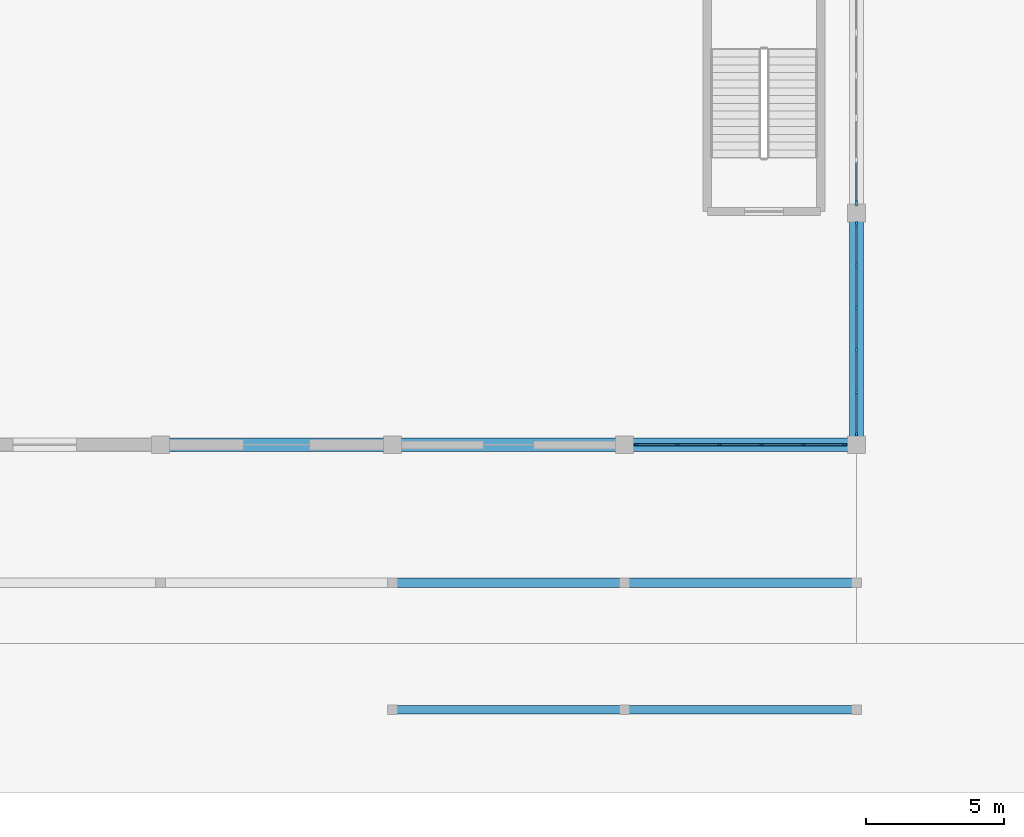
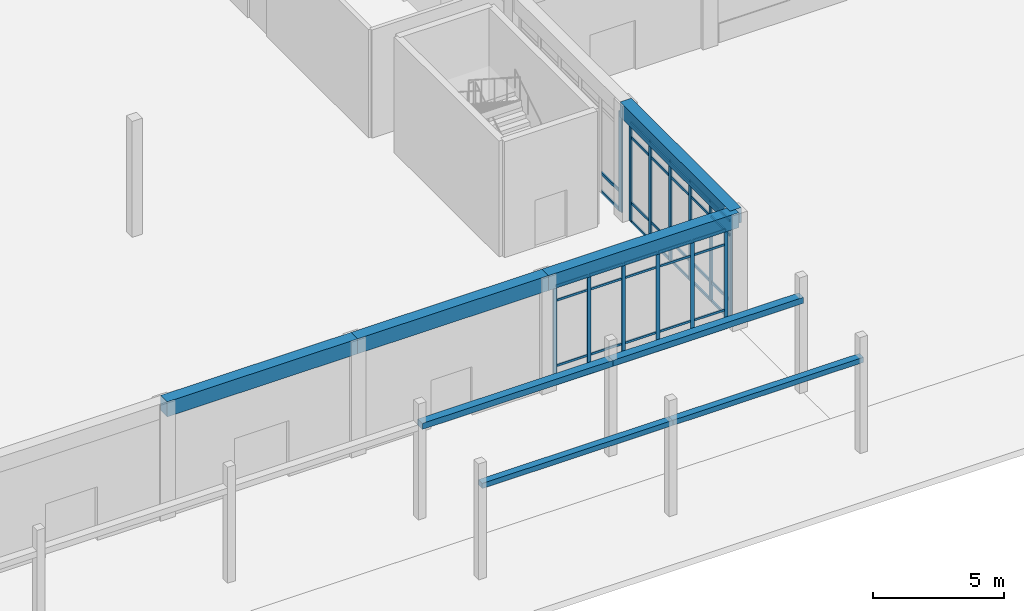
# One storey, part 19 of 167: 55 members, 8 beams, 3 elements without a shape of their own.
"""IFC4 building model written with IfcOpenShell, lengths in metres."""

from ifc_helpers import new_model, si_unit, direction, frame, origin, origin_2d, place, context, subcontext, project, spatial, rectangle, extrude, material, material_profile, profile_set, type_object, element, aggregate, save


model = new_model("IFC4")

# Units and contexts
model_context = context("Model", 3, precision=1e-05, world=origin(), true_north=direction((0.0, 1.0)))
body_context = subcontext(model_context, "Body", "Model", "MODEL_VIEW")
ifc_project = project(units=[si_unit("LENGTHUNIT", "METRE"), si_unit("AREAUNIT", "SQUARE_METRE"), si_unit("VOLUMEUNIT", "CUBIC_METRE"), si_unit("PLANEANGLEUNIT", "RADIAN"), si_unit("MASSUNIT", "GRAM", prefix="KILO")], contexts=[model_context])

# Site, building, storey
site_placement = place(None, origin())
site = spatial("IfcSite", under=ifc_project, at=site_placement, CompositionType="ELEMENT")
building_placement = place(site_placement, origin())
building = spatial("IfcBuilding", under=site, at=building_placement, Name="Varncliffe General Hospital", CompositionType="ELEMENT")
storey_placement = place(building_placement, origin())
storey = spatial("IfcBuildingStorey", under=building, at=storey_placement, Name="L00", CompositionType="ELEMENT", Elevation=0.0)

# Curtain wall, members
ifc_material_1 = material(Name="Triple low-E argon insulated vision glazing", Category="glass")
curtain_wall_type_1 = type_object("IfcCurtainWallType", Name="Unitised Glazed Curtain Wall CW15 (7674x4640)", PredefinedType="USERDEFINED", material=ifc_material_1)
curtain_wall_1_placement = place(storey_placement, origin())
curtain_wall_1 = element("IfcCurtainWall", 1, at=curtain_wall_1_placement, inside=storey, type_object=curtain_wall_type_1, Name="L00 Glazed Curtain Wall CW15-7", ObjectType="GLAZED CURTAIN WALL", PredefinedType="USERDEFINED")
ifc_material_2 = material(Name="Dark bronze thermally broken aluminium framing", Category="aluminium")
ifc_material_profile_1 = material_profile(ifc_material_2, rectangle(XDim=0.074951171875, YDim=0.179931640625, at=origin_2d()), Name="ALU 75x180")
ifc_profile_set_1 = profile_set([ifc_material_profile_1], Name="Dark bronze thermally broken aluminium framing")
member_type_1 = type_object("IfcMemberType", Name="Curtain Wall Mullion CM44 (ALU 75x180)", PredefinedType="MULLION", material=ifc_profile_set_1)
member_1_placement = place(storey_placement, frame((117.60009765625, 15.199462890625, 0.0), z_axis=(0.0, 0.0, 1.0), x_axis=(1.0, 0.0, 0.0)))
member_1 = element("IfcMember", 2, at=member_1_placement, type_object=member_type_1, Name="CW15 mullion 1", PredefinedType="MULLION", context=body_context, shape_type="SweptSolid", body=[
    extrude(rectangle(XDim=0.074951171875, YDim=0.179931640625, at=origin_2d()), origin(), (0.0, 0.0, 1.0), 4.639892578125),
])
member_2_placement = place(storey_placement, frame((117.60009765625, 13.7021484375, 0.0), z_axis=(0.0, 0.0, 1.0), x_axis=(1.0, 0.0, 0.0)))
member_2 = element("IfcMember", 3, at=member_2_placement, type_object=member_type_1, Name="CW15 mullion 2", PredefinedType="MULLION", context=body_context, shape_type="SweptSolid", body=[
    extrude(rectangle(XDim=0.074951171875, YDim=0.179931640625, at=origin_2d()), origin(), (0.0, 0.0, 1.0), 4.639892578125),
])
member_3_placement = place(storey_placement, frame((117.60009765625, 12.16748046875, 0.0), z_axis=(0.0, 0.0, 1.0), x_axis=(1.0, 0.0, 0.0)))
member_3 = element("IfcMember", 4, at=member_3_placement, type_object=member_type_1, Name="CW15 mullion 3", PredefinedType="MULLION", context=body_context, shape_type="SweptSolid", body=[
    extrude(rectangle(XDim=0.074951171875, YDim=0.179931640625, at=origin_2d()), origin(), (0.0, 0.0, 1.0), 4.639892578125),
])
member_4_placement = place(storey_placement, frame((117.60009765625, 10.632568359375, 0.0), z_axis=(0.0, 0.0, 1.0), x_axis=(1.0, 0.0, 0.0)))
member_4 = element("IfcMember", 5, at=member_4_placement, type_object=member_type_1, Name="CW15 mullion 4", PredefinedType="MULLION", context=body_context, shape_type="SweptSolid", body=[
    extrude(rectangle(XDim=0.074951171875, YDim=0.179931640625, at=origin_2d()), origin(), (0.0, 0.0, 1.0), 4.639892578125),
])
member_5_placement = place(storey_placement, frame((117.60009765625, 9.097900390625, 0.0), z_axis=(0.0, 0.0, 1.0), x_axis=(1.0, 0.0, 0.0)))
member_5 = element("IfcMember", 6, at=member_5_placement, type_object=member_type_1, Name="CW15 mullion 5", PredefinedType="MULLION", context=body_context, shape_type="SweptSolid", body=[
    extrude(rectangle(XDim=0.074951171875, YDim=0.179931640625, at=origin_2d()), origin(), (0.0, 0.0, 1.0), 4.639892578125),
])
member_6_placement = place(storey_placement, frame((117.60009765625, 7.6005859375, 0.0), z_axis=(0.0, 0.0, 1.0), x_axis=(1.0, 0.0, 0.0)))
member_6 = element("IfcMember", 7, at=member_6_placement, type_object=member_type_1, Name="CW15 mullion 6", PredefinedType="MULLION", context=body_context, shape_type="SweptSolid", body=[
    extrude(rectangle(XDim=0.074951171875, YDim=0.179931640625, at=origin_2d()), origin(), (0.0, 0.0, 1.0), 4.639892578125),
])

curtain_wall_type_2 = type_object("IfcCurtainWallType", Name="Unitised Glazed Curtain Wall CW26 (7594x4640)", PredefinedType="USERDEFINED", material=ifc_material_1)
curtain_wall_2_placement = place(storey_placement, origin())
curtain_wall_2 = element("IfcCurtainWall", 8, at=curtain_wall_2_placement, inside=storey, type_object=curtain_wall_type_2, Name="L00 Glazed Curtain Wall CW26-8", ObjectType="GLAZED CURTAIN WALL", PredefinedType="USERDEFINED")
ifc_material_profile_2 = material_profile(ifc_material_2, rectangle(XDim=0.06494140625, YDim=0.159912109375, at=origin_2d()), Name="ALU 65x160")
ifc_profile_set_2 = profile_set([ifc_material_profile_2], Name="Dark bronze thermally broken aluminium framing")
member_type_2 = type_object("IfcMemberType", Name="Curtain Wall Mullion CM65 (ALU 65x160)", PredefinedType="MULLION", material=ifc_profile_set_2)
member_7_placement = place(storey_placement, frame((117.16455078125, 7.199951171875, 0.0), z_axis=(0.0, 0.0, 1.0), x_axis=(0.0, -1.0, 0.0)))
member_7 = element("IfcMember", 9, at=member_7_placement, type_object=member_type_2, Name="CW26 mullion 1", PredefinedType="MULLION", context=body_context, shape_type="SweptSolid", body=[
    extrude(rectangle(XDim=0.06494140625, YDim=0.159912109375, at=origin_2d()), origin(), (0.0, 0.0, 1.0), 4.639892578125),
])
member_8_placement = place(storey_placement, frame((115.67822265625, 7.199951171875, 0.0), z_axis=(0.0, 0.0, 1.0), x_axis=(0.0, -1.0, 0.0)))
member_8 = element("IfcMember", 10, at=member_8_placement, type_object=member_type_2, Name="CW26 mullion 2", PredefinedType="MULLION", context=body_context, shape_type="SweptSolid", body=[
    extrude(rectangle(XDim=0.06494140625, YDim=0.159912109375, at=origin_2d()), origin(), (0.0, 0.0, 1.0), 4.639892578125),
])
member_9_placement = place(storey_placement, frame((114.159423828125, 7.199951171875, 0.0), z_axis=(0.0, 0.0, 1.0), x_axis=(0.0, -1.0, 0.0)))
member_9 = element("IfcMember", 11, at=member_9_placement, type_object=member_type_2, Name="CW26 mullion 3", PredefinedType="MULLION", context=body_context, shape_type="SweptSolid", body=[
    extrude(rectangle(XDim=0.06494140625, YDim=0.159912109375, at=origin_2d()), origin(), (0.0, 0.0, 1.0), 4.639892578125),
])
member_10_placement = place(storey_placement, frame((112.640625, 7.199951171875, 0.0), z_axis=(0.0, 0.0, 1.0), x_axis=(0.0, -1.0, 0.0)))
member_10 = element("IfcMember", 12, at=member_10_placement, type_object=member_type_2, Name="CW26 mullion 4", PredefinedType="MULLION", context=body_context, shape_type="SweptSolid", body=[
    extrude(rectangle(XDim=0.06494140625, YDim=0.159912109375, at=origin_2d()), origin(), (0.0, 0.0, 1.0), 4.639892578125),
])
member_11_placement = place(storey_placement, frame((111.121826171875, 7.199951171875, 0.0), z_axis=(0.0, 0.0, 1.0), x_axis=(0.0, -1.0, 0.0)))
member_11 = element("IfcMember", 13, at=member_11_placement, type_object=member_type_2, Name="CW26 mullion 5", PredefinedType="MULLION", context=body_context, shape_type="SweptSolid", body=[
    extrude(rectangle(XDim=0.06494140625, YDim=0.159912109375, at=origin_2d()), origin(), (0.0, 0.0, 1.0), 4.639892578125),
])
member_12_placement = place(storey_placement, frame((109.635498046875, 7.199951171875, 0.0), z_axis=(0.0, 0.0, 1.0), x_axis=(0.0, -1.0, 0.0)))
member_12 = element("IfcMember", 14, at=member_12_placement, type_object=member_type_2, Name="CW26 mullion 6", PredefinedType="MULLION", context=body_context, shape_type="SweptSolid", body=[
    extrude(rectangle(XDim=0.06494140625, YDim=0.159912109375, at=origin_2d()), origin(), (0.0, 0.0, 1.0), 4.639892578125),
])

# Curtain wall, member
curtain_wall_type_3 = type_object("IfcCurtainWallType", Name="Unitised Glazed Curtain Wall CW66 (7754x4640)", PredefinedType="USERDEFINED", material=ifc_material_1)
curtain_wall_3_placement = place(storey_placement, origin())
curtain_wall_3 = element("IfcCurtainWall", 15, at=curtain_wall_3_placement, inside=storey, type_object=curtain_wall_type_3, Name="L00 Glazed Curtain Wall CW66-6", ObjectType="GLAZED CURTAIN WALL", PredefinedType="USERDEFINED")
ifc_material_profile_3 = material_profile(ifc_material_2, rectangle(XDim=0.074951171875, YDim=0.219970703125, at=origin_2d()), Name="ALU 75x220")
ifc_profile_set_3 = profile_set([ifc_material_profile_3], Name="Dark bronze thermally broken aluminium framing")
member_type_3 = type_object("IfcMemberType", Name="Curtain Wall Mullion CM74 (ALU 75x220)", PredefinedType="MULLION", material=ifc_profile_set_3)
member_13_placement = place(storey_placement, frame((117.60009765625, 15.96044921875, 0.0), z_axis=(0.0, 0.0, 1.0), x_axis=(1.0, 0.0, 0.0)))
member_13 = element("IfcMember", 16, at=member_13_placement, type_object=member_type_3, Name="CW66 mullion 6", PredefinedType="MULLION", context=body_context, shape_type="SweptSolid", body=[
    extrude(rectangle(XDim=0.074951171875, YDim=0.219970703125, at=origin_2d()), origin(), (0.0, 0.0, 1.0), 4.639892578125),
])

# Member
ifc_material_profile_4 = material_profile(ifc_material_2, rectangle(XDim=0.06005859375, YDim=0.1201171875, at=origin_2d()), Name="ALU 60x120")
ifc_profile_set_4 = profile_set([ifc_material_profile_4], Name="Dark bronze thermally broken aluminium framing")
member_type_4 = type_object("IfcMemberType", Name="Curtain Wall Transom CT14 (ALU 60x120)", PredefinedType="USERDEFINED", material=ifc_profile_set_4)
member_14_placement = place(storey_placement, frame((117.60009765625, 15.162109375, 0.030029296875), z_axis=(0.0, -1.0, 0.0), x_axis=(1.0, 0.0, 0.0)))
member_14 = element("IfcMember", 17, at=member_14_placement, type_object=member_type_4, Name="CW15 transom 1.1", ObjectType="TRANSOM", PredefinedType="USERDEFINED", context=body_context, shape_type="SweptSolid", body=[
    extrude(rectangle(XDim=0.06005859375, YDim=0.1201171875, at=origin_2d()), origin(), (0.0, 0.0, 1.0), 1.42236328125),
])

member_15_placement = place(storey_placement, frame((117.60009765625, 15.162109375, 0.89990234375), z_axis=(0.0, -1.0, 0.0), x_axis=(1.0, 0.0, 0.0)))
member_15 = element("IfcMember", 18, at=member_15_placement, type_object=member_type_4, Name="CW15 transom 1.2", ObjectType="TRANSOM", PredefinedType="USERDEFINED", context=body_context, shape_type="SweptSolid", body=[
    extrude(rectangle(XDim=0.06005859375, YDim=0.1201171875, at=origin_2d()), origin(), (0.0, 0.0, 1.0), 1.42236328125),
])

member_16_placement = place(storey_placement, frame((117.60009765625, 15.162109375, 3.93994140625), z_axis=(0.0, -1.0, 0.0), x_axis=(1.0, 0.0, 0.0)))
member_16 = element("IfcMember", 19, at=member_16_placement, type_object=member_type_4, Name="CW15 transom 1.3", ObjectType="TRANSOM", PredefinedType="USERDEFINED", context=body_context, shape_type="SweptSolid", body=[
    extrude(rectangle(XDim=0.06005859375, YDim=0.1201171875, at=origin_2d()), origin(), (0.0, 0.0, 1.0), 1.42236328125),
])

member_17_placement = place(storey_placement, frame((117.60009765625, 15.162109375, 4.610107421875), z_axis=(0.0, -1.0, 0.0), x_axis=(1.0, 0.0, 0.0)))
member_17 = element("IfcMember", 20, at=member_17_placement, type_object=member_type_4, Name="CW15 transom 1.4", ObjectType="TRANSOM", PredefinedType="USERDEFINED", context=body_context, shape_type="SweptSolid", body=[
    extrude(rectangle(XDim=0.06005859375, YDim=0.1201171875, at=origin_2d()), origin(), (0.0, 0.0, 1.0), 1.42236328125),
])

member_18_placement = place(storey_placement, frame((117.60009765625, 13.664794921875, 0.030029296875), z_axis=(0.0, -1.0, 0.0), x_axis=(1.0, 0.0, 0.0)))
member_18 = element("IfcMember", 21, at=member_18_placement, type_object=member_type_4, Name="CW15 transom 2.1", ObjectType="TRANSOM", PredefinedType="USERDEFINED", context=body_context, shape_type="SweptSolid", body=[
    extrude(rectangle(XDim=0.06005859375, YDim=0.1201171875, at=origin_2d()), origin(), (0.0, 0.0, 1.0), 1.4599609375),
])

member_19_placement = place(storey_placement, frame((117.60009765625, 13.664794921875, 0.89990234375), z_axis=(0.0, -1.0, 0.0), x_axis=(1.0, 0.0, 0.0)))
member_19 = element("IfcMember", 22, at=member_19_placement, type_object=member_type_4, Name="CW15 transom 2.2", ObjectType="TRANSOM", PredefinedType="USERDEFINED", context=body_context, shape_type="SweptSolid", body=[
    extrude(rectangle(XDim=0.06005859375, YDim=0.1201171875, at=origin_2d()), origin(), (0.0, 0.0, 1.0), 1.4599609375),
])

member_20_placement = place(storey_placement, frame((117.60009765625, 13.664794921875, 3.93994140625), z_axis=(0.0, -1.0, 0.0), x_axis=(1.0, 0.0, 0.0)))
member_20 = element("IfcMember", 23, at=member_20_placement, type_object=member_type_4, Name="CW15 transom 2.3", ObjectType="TRANSOM", PredefinedType="USERDEFINED", context=body_context, shape_type="SweptSolid", body=[
    extrude(rectangle(XDim=0.06005859375, YDim=0.1201171875, at=origin_2d()), origin(), (0.0, 0.0, 1.0), 1.4599609375),
])

member_21_placement = place(storey_placement, frame((117.60009765625, 13.664794921875, 4.610107421875), z_axis=(0.0, -1.0, 0.0), x_axis=(1.0, 0.0, 0.0)))
member_21 = element("IfcMember", 24, at=member_21_placement, type_object=member_type_4, Name="CW15 transom 2.4", ObjectType="TRANSOM", PredefinedType="USERDEFINED", context=body_context, shape_type="SweptSolid", body=[
    extrude(rectangle(XDim=0.06005859375, YDim=0.1201171875, at=origin_2d()), origin(), (0.0, 0.0, 1.0), 1.4599609375),
])

member_22_placement = place(storey_placement, frame((117.60009765625, 12.1298828125, 0.030029296875), z_axis=(0.0, -1.0, 0.0), x_axis=(1.0, 0.0, 0.0)))
member_22 = element("IfcMember", 25, at=member_22_placement, type_object=member_type_4, Name="CW15 transom 3.1", ObjectType="TRANSOM", PredefinedType="USERDEFINED", context=body_context, shape_type="SweptSolid", body=[
    extrude(rectangle(XDim=0.06005859375, YDim=0.1201171875, at=origin_2d()), origin(), (0.0, 0.0, 1.0), 1.459716796875),
])

member_23_placement = place(storey_placement, frame((117.60009765625, 12.1298828125, 0.89990234375), z_axis=(0.0, -1.0, 0.0), x_axis=(1.0, 0.0, 0.0)))
member_23 = element("IfcMember", 26, at=member_23_placement, type_object=member_type_4, Name="CW15 transom 3.2", ObjectType="TRANSOM", PredefinedType="USERDEFINED", context=body_context, shape_type="SweptSolid", body=[
    extrude(rectangle(XDim=0.06005859375, YDim=0.1201171875, at=origin_2d()), origin(), (0.0, 0.0, 1.0), 1.459716796875),
])

member_24_placement = place(storey_placement, frame((117.60009765625, 12.1298828125, 3.93994140625), z_axis=(0.0, -1.0, 0.0), x_axis=(1.0, 0.0, 0.0)))
member_24 = element("IfcMember", 27, at=member_24_placement, type_object=member_type_4, Name="CW15 transom 3.3", ObjectType="TRANSOM", PredefinedType="USERDEFINED", context=body_context, shape_type="SweptSolid", body=[
    extrude(rectangle(XDim=0.06005859375, YDim=0.1201171875, at=origin_2d()), origin(), (0.0, 0.0, 1.0), 1.459716796875),
])

member_25_placement = place(storey_placement, frame((117.60009765625, 12.1298828125, 4.610107421875), z_axis=(0.0, -1.0, 0.0), x_axis=(1.0, 0.0, 0.0)))
member_25 = element("IfcMember", 28, at=member_25_placement, type_object=member_type_4, Name="CW15 transom 3.4", ObjectType="TRANSOM", PredefinedType="USERDEFINED", context=body_context, shape_type="SweptSolid", body=[
    extrude(rectangle(XDim=0.06005859375, YDim=0.1201171875, at=origin_2d()), origin(), (0.0, 0.0, 1.0), 1.459716796875),
])

member_26_placement = place(storey_placement, frame((117.60009765625, 10.59521484375, 0.030029296875), z_axis=(0.0, -1.0, 0.0), x_axis=(1.0, 0.0, 0.0)))
member_26 = element("IfcMember", 29, at=member_26_placement, type_object=member_type_4, Name="CW15 transom 4.1", ObjectType="TRANSOM", PredefinedType="USERDEFINED", context=body_context, shape_type="SweptSolid", body=[
    extrude(rectangle(XDim=0.06005859375, YDim=0.1201171875, at=origin_2d()), origin(), (0.0, 0.0, 1.0), 1.4599609375),
])

member_27_placement = place(storey_placement, frame((117.60009765625, 10.59521484375, 0.89990234375), z_axis=(0.0, -1.0, 0.0), x_axis=(1.0, 0.0, 0.0)))
member_27 = element("IfcMember", 30, at=member_27_placement, type_object=member_type_4, Name="CW15 transom 4.2", ObjectType="TRANSOM", PredefinedType="USERDEFINED", context=body_context, shape_type="SweptSolid", body=[
    extrude(rectangle(XDim=0.06005859375, YDim=0.1201171875, at=origin_2d()), origin(), (0.0, 0.0, 1.0), 1.4599609375),
])

member_28_placement = place(storey_placement, frame((117.60009765625, 10.59521484375, 3.93994140625), z_axis=(0.0, -1.0, 0.0), x_axis=(1.0, 0.0, 0.0)))
member_28 = element("IfcMember", 31, at=member_28_placement, type_object=member_type_4, Name="CW15 transom 4.3", ObjectType="TRANSOM", PredefinedType="USERDEFINED", context=body_context, shape_type="SweptSolid", body=[
    extrude(rectangle(XDim=0.06005859375, YDim=0.1201171875, at=origin_2d()), origin(), (0.0, 0.0, 1.0), 1.4599609375),
])

member_29_placement = place(storey_placement, frame((117.60009765625, 10.59521484375, 4.610107421875), z_axis=(0.0, -1.0, 0.0), x_axis=(1.0, 0.0, 0.0)))
member_29 = element("IfcMember", 32, at=member_29_placement, type_object=member_type_4, Name="CW15 transom 4.4", ObjectType="TRANSOM", PredefinedType="USERDEFINED", context=body_context, shape_type="SweptSolid", body=[
    extrude(rectangle(XDim=0.06005859375, YDim=0.1201171875, at=origin_2d()), origin(), (0.0, 0.0, 1.0), 1.4599609375),
])

member_30_placement = place(storey_placement, frame((117.60009765625, 9.060302734375, 0.030029296875), z_axis=(0.0, -1.0, 0.0), x_axis=(1.0, 0.0, 0.0)))
member_30 = element("IfcMember", 33, at=member_30_placement, type_object=member_type_4, Name="CW15 transom 5.1", ObjectType="TRANSOM", PredefinedType="USERDEFINED", context=body_context, shape_type="SweptSolid", body=[
    extrude(rectangle(XDim=0.06005859375, YDim=0.1201171875, at=origin_2d()), origin(), (0.0, 0.0, 1.0), 1.42236328125),
])

member_31_placement = place(storey_placement, frame((117.60009765625, 9.060302734375, 0.89990234375), z_axis=(0.0, -1.0, 0.0), x_axis=(1.0, 0.0, 0.0)))
member_31 = element("IfcMember", 34, at=member_31_placement, type_object=member_type_4, Name="CW15 transom 5.2", ObjectType="TRANSOM", PredefinedType="USERDEFINED", context=body_context, shape_type="SweptSolid", body=[
    extrude(rectangle(XDim=0.06005859375, YDim=0.1201171875, at=origin_2d()), origin(), (0.0, 0.0, 1.0), 1.42236328125),
])

member_32_placement = place(storey_placement, frame((117.60009765625, 9.060302734375, 3.93994140625), z_axis=(0.0, -1.0, 0.0), x_axis=(1.0, 0.0, 0.0)))
member_32 = element("IfcMember", 35, at=member_32_placement, type_object=member_type_4, Name="CW15 transom 5.3", ObjectType="TRANSOM", PredefinedType="USERDEFINED", context=body_context, shape_type="SweptSolid", body=[
    extrude(rectangle(XDim=0.06005859375, YDim=0.1201171875, at=origin_2d()), origin(), (0.0, 0.0, 1.0), 1.42236328125),
])

member_33_placement = place(storey_placement, frame((117.60009765625, 9.060302734375, 4.610107421875), z_axis=(0.0, -1.0, 0.0), x_axis=(1.0, 0.0, 0.0)))
member_33 = element("IfcMember", 36, at=member_33_placement, type_object=member_type_4, Name="CW15 transom 5.4", ObjectType="TRANSOM", PredefinedType="USERDEFINED", context=body_context, shape_type="SweptSolid", body=[
    extrude(rectangle(XDim=0.06005859375, YDim=0.1201171875, at=origin_2d()), origin(), (0.0, 0.0, 1.0), 1.42236328125),
])

aggregate(curtain_wall_1, [member_1, member_2, member_3, member_4, member_5, member_6, member_14, member_15, member_16, member_17, member_18, member_19, member_20, member_21, member_22, member_23, member_24, member_25, member_26, member_27, member_28, member_29, member_30, member_31, member_32, member_33])

ifc_material_profile_5 = material_profile(ifc_material_2, rectangle(XDim=0.06005859375, YDim=0.10009765625, at=origin_2d()), Name="ALU 60x100")
ifc_profile_set_5 = profile_set([ifc_material_profile_5], Name="Dark bronze thermally broken aluminium framing")
member_type_5 = type_object("IfcMemberType", Name="Curtain Wall Transom CT18 (ALU 60x100)", PredefinedType="USERDEFINED", material=ifc_profile_set_5)
member_34_placement = place(storey_placement, frame((117.132080078125, 7.199951171875, 0.030029296875), z_axis=(-1.0, 0.0, 0.0), x_axis=(0.0, -1.0, 0.0)))
member_34 = element("IfcMember", 37, at=member_34_placement, type_object=member_type_5, Name="CW26 transom 1.1", ObjectType="TRANSOM", PredefinedType="USERDEFINED", context=body_context, shape_type="SweptSolid", body=[
    extrude(rectangle(XDim=0.06005859375, YDim=0.10009765625, at=origin_2d()), origin(), (0.0, 0.0, 1.0), 1.42138671875),
])

member_35_placement = place(storey_placement, frame((117.132080078125, 7.199951171875, 0.89990234375), z_axis=(-1.0, 0.0, 0.0), x_axis=(0.0, -1.0, 0.0)))
member_35 = element("IfcMember", 38, at=member_35_placement, type_object=member_type_5, Name="CW26 transom 1.2", ObjectType="TRANSOM", PredefinedType="USERDEFINED", context=body_context, shape_type="SweptSolid", body=[
    extrude(rectangle(XDim=0.06005859375, YDim=0.10009765625, at=origin_2d()), origin(), (0.0, 0.0, 1.0), 1.42138671875),
])

member_36_placement = place(storey_placement, frame((117.132080078125, 7.199951171875, 3.93994140625), z_axis=(-1.0, 0.0, 0.0), x_axis=(0.0, -1.0, 0.0)))
member_36 = element("IfcMember", 39, at=member_36_placement, type_object=member_type_5, Name="CW26 transom 1.3", ObjectType="TRANSOM", PredefinedType="USERDEFINED", context=body_context, shape_type="SweptSolid", body=[
    extrude(rectangle(XDim=0.06005859375, YDim=0.10009765625, at=origin_2d()), origin(), (0.0, 0.0, 1.0), 1.42138671875),
])

member_37_placement = place(storey_placement, frame((117.132080078125, 7.199951171875, 4.610107421875), z_axis=(-1.0, 0.0, 0.0), x_axis=(0.0, -1.0, 0.0)))
member_37 = element("IfcMember", 40, at=member_37_placement, type_object=member_type_5, Name="CW26 transom 1.4", ObjectType="TRANSOM", PredefinedType="USERDEFINED", context=body_context, shape_type="SweptSolid", body=[
    extrude(rectangle(XDim=0.06005859375, YDim=0.10009765625, at=origin_2d()), origin(), (0.0, 0.0, 1.0), 1.42138671875),
])

member_38_placement = place(storey_placement, frame((115.645751953125, 7.199951171875, 0.030029296875), z_axis=(-1.0, 0.0, 0.0), x_axis=(0.0, -1.0, 0.0)))
member_38 = element("IfcMember", 41, at=member_38_placement, type_object=member_type_5, Name="CW26 transom 2.1", ObjectType="TRANSOM", PredefinedType="USERDEFINED", context=body_context, shape_type="SweptSolid", body=[
    extrude(rectangle(XDim=0.06005859375, YDim=0.10009765625, at=origin_2d()), origin(), (0.0, 0.0, 1.0), 1.453857421875),
])

member_39_placement = place(storey_placement, frame((115.645751953125, 7.199951171875, 0.89990234375), z_axis=(-1.0, 0.0, 0.0), x_axis=(0.0, -1.0, 0.0)))
member_39 = element("IfcMember", 42, at=member_39_placement, type_object=member_type_5, Name="CW26 transom 2.2", ObjectType="TRANSOM", PredefinedType="USERDEFINED", context=body_context, shape_type="SweptSolid", body=[
    extrude(rectangle(XDim=0.06005859375, YDim=0.10009765625, at=origin_2d()), origin(), (0.0, 0.0, 1.0), 1.453857421875),
])

member_40_placement = place(storey_placement, frame((115.645751953125, 7.199951171875, 3.93994140625), z_axis=(-1.0, 0.0, 0.0), x_axis=(0.0, -1.0, 0.0)))
member_40 = element("IfcMember", 43, at=member_40_placement, type_object=member_type_5, Name="CW26 transom 2.3", ObjectType="TRANSOM", PredefinedType="USERDEFINED", context=body_context, shape_type="SweptSolid", body=[
    extrude(rectangle(XDim=0.06005859375, YDim=0.10009765625, at=origin_2d()), origin(), (0.0, 0.0, 1.0), 1.453857421875),
])

member_41_placement = place(storey_placement, frame((115.645751953125, 7.199951171875, 4.610107421875), z_axis=(-1.0, 0.0, 0.0), x_axis=(0.0, -1.0, 0.0)))
member_41 = element("IfcMember", 44, at=member_41_placement, type_object=member_type_5, Name="CW26 transom 2.4", ObjectType="TRANSOM", PredefinedType="USERDEFINED", context=body_context, shape_type="SweptSolid", body=[
    extrude(rectangle(XDim=0.06005859375, YDim=0.10009765625, at=origin_2d()), origin(), (0.0, 0.0, 1.0), 1.453857421875),
])

member_42_placement = place(storey_placement, frame((114.126953125, 7.199951171875, 0.030029296875), z_axis=(-1.0, 0.0, 0.0), x_axis=(0.0, -1.0, 0.0)))
member_42 = element("IfcMember", 45, at=member_42_placement, type_object=member_type_5, Name="CW26 transom 3.1", ObjectType="TRANSOM", PredefinedType="USERDEFINED", context=body_context, shape_type="SweptSolid", body=[
    extrude(rectangle(XDim=0.06005859375, YDim=0.10009765625, at=origin_2d()), origin(), (0.0, 0.0, 1.0), 1.453857421875),
])

member_43_placement = place(storey_placement, frame((114.126953125, 7.199951171875, 0.89990234375), z_axis=(-1.0, 0.0, 0.0), x_axis=(0.0, -1.0, 0.0)))
member_43 = element("IfcMember", 46, at=member_43_placement, type_object=member_type_5, Name="CW26 transom 3.2", ObjectType="TRANSOM", PredefinedType="USERDEFINED", context=body_context, shape_type="SweptSolid", body=[
    extrude(rectangle(XDim=0.06005859375, YDim=0.10009765625, at=origin_2d()), origin(), (0.0, 0.0, 1.0), 1.453857421875),
])

member_44_placement = place(storey_placement, frame((114.126953125, 7.199951171875, 3.93994140625), z_axis=(-1.0, 0.0, 0.0), x_axis=(0.0, -1.0, 0.0)))
member_44 = element("IfcMember", 47, at=member_44_placement, type_object=member_type_5, Name="CW26 transom 3.3", ObjectType="TRANSOM", PredefinedType="USERDEFINED", context=body_context, shape_type="SweptSolid", body=[
    extrude(rectangle(XDim=0.06005859375, YDim=0.10009765625, at=origin_2d()), origin(), (0.0, 0.0, 1.0), 1.453857421875),
])

member_45_placement = place(storey_placement, frame((114.126953125, 7.199951171875, 4.610107421875), z_axis=(-1.0, 0.0, 0.0), x_axis=(0.0, -1.0, 0.0)))
member_45 = element("IfcMember", 48, at=member_45_placement, type_object=member_type_5, Name="CW26 transom 3.4", ObjectType="TRANSOM", PredefinedType="USERDEFINED", context=body_context, shape_type="SweptSolid", body=[
    extrude(rectangle(XDim=0.06005859375, YDim=0.10009765625, at=origin_2d()), origin(), (0.0, 0.0, 1.0), 1.453857421875),
])

member_46_placement = place(storey_placement, frame((112.608154296875, 7.199951171875, 0.030029296875), z_axis=(-1.0, 0.0, 0.0), x_axis=(0.0, -1.0, 0.0)))
member_46 = element("IfcMember", 49, at=member_46_placement, type_object=member_type_5, Name="CW26 transom 4.1", ObjectType="TRANSOM", PredefinedType="USERDEFINED", context=body_context, shape_type="SweptSolid", body=[
    extrude(rectangle(XDim=0.06005859375, YDim=0.10009765625, at=origin_2d()), origin(), (0.0, 0.0, 1.0), 1.453857421875),
])

member_47_placement = place(storey_placement, frame((112.608154296875, 7.199951171875, 0.89990234375), z_axis=(-1.0, 0.0, 0.0), x_axis=(0.0, -1.0, 0.0)))
member_47 = element("IfcMember", 50, at=member_47_placement, type_object=member_type_5, Name="CW26 transom 4.2", ObjectType="TRANSOM", PredefinedType="USERDEFINED", context=body_context, shape_type="SweptSolid", body=[
    extrude(rectangle(XDim=0.06005859375, YDim=0.10009765625, at=origin_2d()), origin(), (0.0, 0.0, 1.0), 1.453857421875),
])

member_48_placement = place(storey_placement, frame((112.608154296875, 7.199951171875, 3.93994140625), z_axis=(-1.0, 0.0, 0.0), x_axis=(0.0, -1.0, 0.0)))
member_48 = element("IfcMember", 51, at=member_48_placement, type_object=member_type_5, Name="CW26 transom 4.3", ObjectType="TRANSOM", PredefinedType="USERDEFINED", context=body_context, shape_type="SweptSolid", body=[
    extrude(rectangle(XDim=0.06005859375, YDim=0.10009765625, at=origin_2d()), origin(), (0.0, 0.0, 1.0), 1.453857421875),
])

member_49_placement = place(storey_placement, frame((112.608154296875, 7.199951171875, 4.610107421875), z_axis=(-1.0, 0.0, 0.0), x_axis=(0.0, -1.0, 0.0)))
member_49 = element("IfcMember", 52, at=member_49_placement, type_object=member_type_5, Name="CW26 transom 4.4", ObjectType="TRANSOM", PredefinedType="USERDEFINED", context=body_context, shape_type="SweptSolid", body=[
    extrude(rectangle(XDim=0.06005859375, YDim=0.10009765625, at=origin_2d()), origin(), (0.0, 0.0, 1.0), 1.453857421875),
])

member_50_placement = place(storey_placement, frame((111.08935546875, 7.199951171875, 0.030029296875), z_axis=(-1.0, 0.0, 0.0), x_axis=(0.0, -1.0, 0.0)))
member_50 = element("IfcMember", 53, at=member_50_placement, type_object=member_type_5, Name="CW26 transom 5.1", ObjectType="TRANSOM", PredefinedType="USERDEFINED", context=body_context, shape_type="SweptSolid", body=[
    extrude(rectangle(XDim=0.06005859375, YDim=0.10009765625, at=origin_2d()), origin(), (0.0, 0.0, 1.0), 1.42138671875),
])

member_51_placement = place(storey_placement, frame((111.08935546875, 7.199951171875, 0.89990234375), z_axis=(-1.0, 0.0, 0.0), x_axis=(0.0, -1.0, 0.0)))
member_51 = element("IfcMember", 54, at=member_51_placement, type_object=member_type_5, Name="CW26 transom 5.2", ObjectType="TRANSOM", PredefinedType="USERDEFINED", context=body_context, shape_type="SweptSolid", body=[
    extrude(rectangle(XDim=0.06005859375, YDim=0.10009765625, at=origin_2d()), origin(), (0.0, 0.0, 1.0), 1.42138671875),
])

member_52_placement = place(storey_placement, frame((111.08935546875, 7.199951171875, 3.93994140625), z_axis=(-1.0, 0.0, 0.0), x_axis=(0.0, -1.0, 0.0)))
member_52 = element("IfcMember", 55, at=member_52_placement, type_object=member_type_5, Name="CW26 transom 5.3", ObjectType="TRANSOM", PredefinedType="USERDEFINED", context=body_context, shape_type="SweptSolid", body=[
    extrude(rectangle(XDim=0.06005859375, YDim=0.10009765625, at=origin_2d()), origin(), (0.0, 0.0, 1.0), 1.42138671875),
])

member_53_placement = place(storey_placement, frame((111.08935546875, 7.199951171875, 4.610107421875), z_axis=(-1.0, 0.0, 0.0), x_axis=(0.0, -1.0, 0.0)))
member_53 = element("IfcMember", 56, at=member_53_placement, type_object=member_type_5, Name="CW26 transom 5.4", ObjectType="TRANSOM", PredefinedType="USERDEFINED", context=body_context, shape_type="SweptSolid", body=[
    extrude(rectangle(XDim=0.06005859375, YDim=0.10009765625, at=origin_2d()), origin(), (0.0, 0.0, 1.0), 1.42138671875),
])

aggregate(curtain_wall_2, [member_7, member_8, member_9, member_10, member_11, member_12, member_34, member_35, member_36, member_37, member_38, member_39, member_40, member_41, member_42, member_43, member_44, member_45, member_46, member_47, member_48, member_49, member_50, member_51, member_52, member_53])

ifc_material_profile_6 = material_profile(ifc_material_2, rectangle(XDim=0.06494140625, YDim=0.139892578125, at=origin_2d()), Name="ALU 65x140")
ifc_profile_set_6 = profile_set([ifc_material_profile_6], Name="Dark bronze thermally broken aluminium framing")
member_type_6 = type_object("IfcMemberType", Name="Curtain Wall Transom CT69 (ALU 65x140)", PredefinedType="USERDEFINED", material=ifc_profile_set_6)
member_54_placement = place(storey_placement, frame((117.60009765625, 17.436279296875, 0.032470703125), z_axis=(0.0, -1.0, 0.0), x_axis=(1.0, 0.0, 0.0)))
member_54 = element("IfcMember", 57, at=member_54_placement, type_object=member_type_6, Name="CW66 transom 5.1", ObjectType="TRANSOM", PredefinedType="USERDEFINED", context=body_context, shape_type="SweptSolid", body=[
    extrude(rectangle(XDim=0.06494140625, YDim=0.139892578125, at=origin_2d()), origin(), (0.0, 0.0, 1.0), 1.438232421875),
])

member_55_placement = place(storey_placement, frame((117.60009765625, 17.436279296875, 0.89990234375), z_axis=(0.0, -1.0, 0.0), x_axis=(1.0, 0.0, 0.0)))
member_55 = element("IfcMember", 58, at=member_55_placement, type_object=member_type_6, Name="CW66 transom 5.2", ObjectType="TRANSOM", PredefinedType="USERDEFINED", context=body_context, shape_type="SweptSolid", body=[
    extrude(rectangle(XDim=0.06494140625, YDim=0.139892578125, at=origin_2d()), origin(), (0.0, 0.0, 1.0), 1.438232421875),
])

aggregate(curtain_wall_3, [member_13, member_54, member_55])

# Beams
ifc_material_3 = material(Name="Precast concrete C40/50", Category="concrete")
ifc_material_profile_7 = material_profile(ifc_material_3, rectangle(XDim=0.35009765625, YDim=0.280029296875, at=origin_2d()), Name="RC 350x280")
ifc_profile_set_7 = profile_set([ifc_material_profile_7], Name="Precast concrete C40/50")
beam_type_1 = type_object("IfcBeamType", Name="Lintel LN26 (Ext RC 350x280)", PredefinedType="LINTEL", material=ifc_profile_set_7)
beam_1_placement = place(storey_placement, frame((100.800048828125, 2.199951171875, 4.300048828125), z_axis=(1.0, 0.0, 0.0), x_axis=(0.0, 1.0, 0.0)))
element("IfcBeam", 59, at=beam_1_placement, inside=storey, type_object=beam_type_1, Name="L00 Colonnade Architrave Lintel 6", PredefinedType="LINTEL", context=body_context, shape_type="SweptSolid", body=[
    extrude(rectangle(XDim=0.35009765625, YDim=0.280029296875, at=origin_2d()), origin(), (0.0, 0.0, 1.0), 8.39990234375),
])
beam_2_placement = place(storey_placement, frame((109.199951171875, 2.199951171875, 4.300048828125), z_axis=(1.0, 0.0, 0.0), x_axis=(0.0, 1.0, 0.0)))
element("IfcBeam", 60, at=beam_2_placement, inside=storey, type_object=beam_type_1, Name="L00 Colonnade Architrave Lintel 7", PredefinedType="LINTEL", context=body_context, shape_type="SweptSolid", body=[
    extrude(rectangle(XDim=0.35009765625, YDim=0.280029296875, at=origin_2d()), origin(), (0.0, 0.0, 1.0), 8.400146484375),
])
ifc_material_profile_8 = material_profile(ifc_material_3, rectangle(XDim=0.300048828125, YDim=0.239990234375, at=origin_2d()), Name="RC 300x240")
ifc_profile_set_8 = profile_set([ifc_material_profile_8], Name="Precast concrete C40/50")
beam_type_2 = type_object("IfcBeamType", Name="Lintel LN28 (Ext RC 300x240)", PredefinedType="LINTEL", material=ifc_profile_set_8)
beam_3_placement = place(storey_placement, frame((100.800048828125, -2.39990234375, 4.300048828125), z_axis=(1.0, 0.0, 0.0), x_axis=(0.0, 1.0, 0.0)))
element("IfcBeam", 61, at=beam_3_placement, inside=storey, type_object=beam_type_2, Name="L00 Outer Portico Architrave Lintel 3", PredefinedType="LINTEL", context=body_context, shape_type="SweptSolid", body=[
    extrude(rectangle(XDim=0.300048828125, YDim=0.239990234375, at=origin_2d()), origin(), (0.0, 0.0, 1.0), 8.39990234375),
])
beam_4_placement = place(storey_placement, frame((109.199951171875, -2.39990234375, 4.300048828125), z_axis=(1.0, 0.0, 0.0), x_axis=(0.0, 1.0, 0.0)))
element("IfcBeam", 62, at=beam_4_placement, inside=storey, type_object=beam_type_2, Name="L00 Outer Portico Architrave Lintel 4", PredefinedType="LINTEL", context=body_context, shape_type="SweptSolid", body=[
    extrude(rectangle(XDim=0.300048828125, YDim=0.239990234375, at=origin_2d()), origin(), (0.0, 0.0, 1.0), 8.400146484375),
])
ifc_material_4 = material(Name="Concrete C35/45 (CSA A23.1 35 MPa)", Category="concrete")
ifc_material_profile_9 = material_profile(ifc_material_4, rectangle(XDim=0.5, YDim=0.699951171875, at=origin_2d()), Name="RC 500x700")
ifc_profile_set_9 = profile_set([ifc_material_profile_9], Name="Concrete C35/45 (CSA A23.1 35 MPa)")
beam_type_3 = type_object("IfcBeamType", Name="Spandrel SP19 (Ext RC 500x700)", PredefinedType="SPANDREL", material=ifc_profile_set_9)
beam_5_placement = place(storey_placement, frame((92.39990234375, 7.199951171875, 5.050048828125), z_axis=(1.0, 0.0, 0.0), x_axis=(0.0, 1.0, 0.0)))
element("IfcBeam", 63, at=beam_5_placement, inside=storey, type_object=beam_type_3, Name="L00 Spandrel Beam SP19-14", PredefinedType="SPANDREL", context=body_context, shape_type="SweptSolid", body=[
    extrude(rectangle(XDim=0.5, YDim=0.699951171875, at=origin_2d()), origin(), (0.0, 0.0, 1.0), 8.400146484375),
])
beam_6_placement = place(storey_placement, frame((100.800048828125, 7.199951171875, 5.050048828125), z_axis=(1.0, 0.0, 0.0), x_axis=(0.0, 1.0, 0.0)))
element("IfcBeam", 64, at=beam_6_placement, inside=storey, type_object=beam_type_3, Name="L00 Spandrel Beam SP19-15", PredefinedType="SPANDREL", context=body_context, shape_type="SweptSolid", body=[
    extrude(rectangle(XDim=0.5, YDim=0.699951171875, at=origin_2d()), origin(), (0.0, 0.0, 1.0), 8.39990234375),
])
for number, where, z_axis, x_axis, name in (
    (65, (109.199951171875, 7.199951171875, 5.050048828125), (1.0, 0.0, 0.0), (0.0, 1.0, 0.0), "L00 Spandrel Beam SP19-16"),
    (66, (117.60009765625, 7.199951171875, 5.050048828125), (0.0, 1.0, 0.0), (-1.0, 0.0, 0.0), "L00 Spandrel Beam SP19-416"),
):
    element("IfcBeam", number, at=place(storey_placement, frame(where, z_axis=z_axis, x_axis=x_axis)), inside=storey, type_object=beam_type_3, Name=name, PredefinedType="SPANDREL", context=body_context, shape_type="SweptSolid", body=[
        extrude(rectangle(XDim=0.5, YDim=0.699951171875, at=origin_2d()), origin(), (0.0, 0.0, 1.0), 8.400146484375),
    ])

save(model, "model.ifc")
